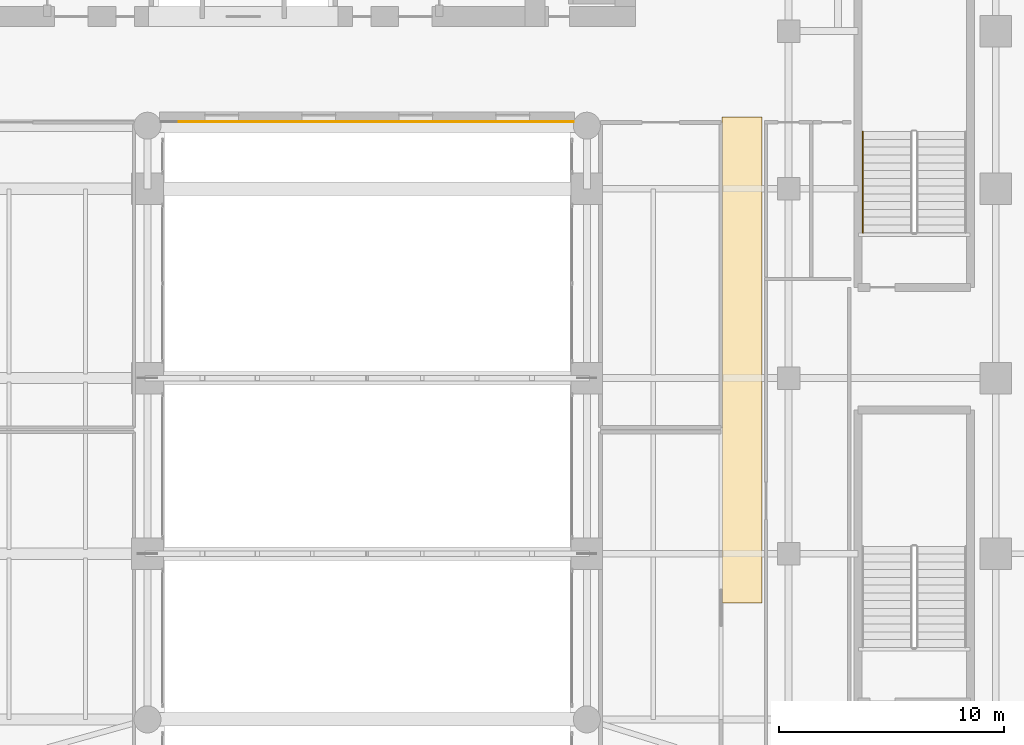
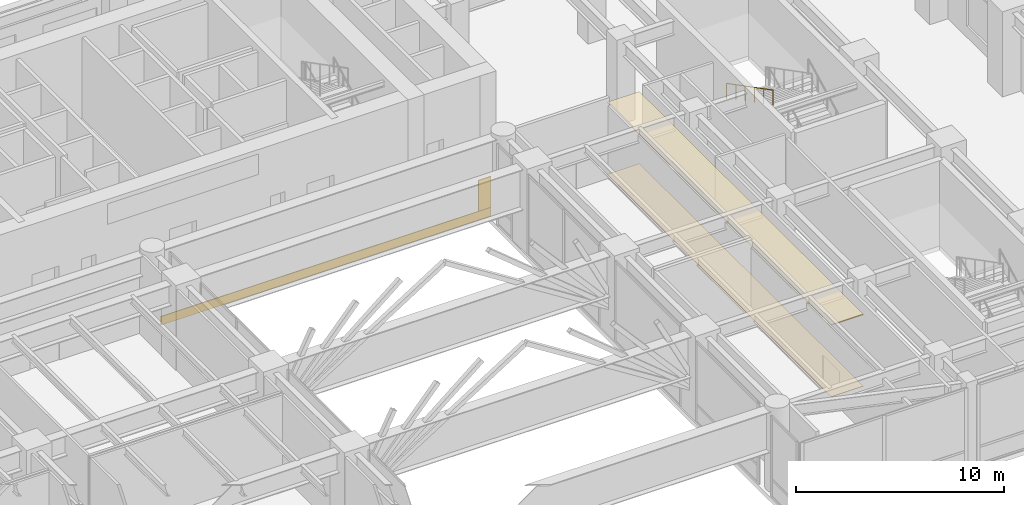
# One storey, part 34 of 39: 4 coverings, 1 railing.
"""IFC4 building model written with IfcOpenShell, lengths in metres."""

from ifc_helpers import new_model, si_unit, direction, frame, origin, origin_2d, place, context, subcontext, project, spatial, polyline, circle, outline, extrude, material, layer, layer_set, type_object, element, save


model = new_model("IFC4")

# Units and contexts
model_context = context("Model", 3, precision=1e-05, world=origin(), true_north=direction((0.0, 1.0)))
body_context = subcontext(model_context, "Body", "Model", "MODEL_VIEW")
ifc_project = project(units=[si_unit("LENGTHUNIT", "METRE"), si_unit("AREAUNIT", "SQUARE_METRE"), si_unit("VOLUMEUNIT", "CUBIC_METRE"), si_unit("PLANEANGLEUNIT", "RADIAN"), si_unit("MASSUNIT", "GRAM", prefix="KILO")], contexts=[model_context])

# Site, building, storey
site_placement = place(None, origin())
site = spatial("IfcSite", under=ifc_project, at=site_placement, CompositionType="ELEMENT")
building_placement = place(site_placement, origin())
building = spatial("IfcBuilding", under=site, at=building_placement, Name="Tolvann Quenvar Hotel", CompositionType="ELEMENT")
storey_placement = place(building_placement, frame((0.0, 0.0, 11.0)))
storey = spatial("IfcBuildingStorey", under=building, at=storey_placement, Name="L02", CompositionType="ELEMENT", Elevation=11.0)

# Coverings
ifc_material_1 = material(Name="Micro-perforated acoustic mineral-fibre and timber-batten suspended ceiling", Category="wood")
ifc_layer_1 = layer(ifc_material_1, 0.054931640625)
ifc_layer_set_1 = layer_set([ifc_layer_1], Name="Micro-perforated acoustic mineral-fibre and timber-batten suspended ceiling")
covering_type_1 = type_object("IfcCoveringType", Name="COV_CEIL_TIMBER_55", PredefinedType="CEILING", material=ifc_layer_set_1)
covering_1_placement = place(storey_placement, frame((0.0, 0.0, 4.199951171875)))
element("IfcCovering", 1, at=covering_1_placement, inside=storey, type_object=covering_type_1, Name="Suspended Acoustic Ceiling (East Podium Corridor L02)", PredefinedType="CEILING", context=body_context, shape_type="SweptSolid", body=[
    extrude(outline(polyline([(44.239990234375, 6.02001953125), (46.030029296875, 6.02001953125), (46.030029296875, 27.580078125), (44.239990234375, 27.580078125), (44.239990234375, 6.02001953125)])), origin(), (0.0, 0.0, 1.0), 0.054931640625),
])
ifc_material_2 = material(Name="Kiln-fired red architectural face brick cladding", Category="masonry")
ifc_layer_2 = layer(ifc_material_2, 0.0400390625)
ifc_layer_set_2 = layer_set([ifc_layer_2], Name="Kiln-fired red architectural face brick cladding")
covering_type_2 = type_object("IfcCoveringType", Name="COV_CLAD_BRICK_40", PredefinedType="CLADDING", material=ifc_layer_set_2)
covering_2_placement = place(storey_placement, frame((0.0, 0.0, 0.5126953125)))
element("IfcCovering", 2, at=covering_2_placement, inside=storey, type_object=covering_type_2, Name="Brick Pier Cladding (L02-E02-P2)", PredefinedType="CLADDING", context=body_context, shape_type="SweptSolid", body=[
    extrude(outline(polyline([(36.9599609375, 27.39990234375), (37.659912109375, 27.39990234375), (37.659912109375, 27.360107421875), (36.9599609375, 27.360107421875), (36.9599609375, 27.39990234375)])), origin(), (0.0, 0.0, 1.0), 1.8173828125),
])
ifc_material_3 = material(Name="Moulded buff architectural terracotta spandrel cladding", Category="masonry")
ifc_layer_3 = layer(ifc_material_3, 0.0400390625)
ifc_layer_set_3 = layer_set([ifc_layer_3], Name="Moulded buff architectural terracotta spandrel cladding")
covering_type_3 = type_object("IfcCoveringType", Name="COV_CLAD_TERRA_40", PredefinedType="CLADDING", material=ifc_layer_set_3)
covering_3_placement = place(storey_placement, origin())
element("IfcCovering", 3, at=covering_3_placement, inside=storey, type_object=covering_type_3, Name="Terracotta Spandrel Cladding (L02-E02)", PredefinedType="CLADDING", context=body_context, shape_type="SweptSolid", body=[
    extrude(outline(polyline([(19.330078125, 27.39990234375), (37.669921875, 27.39990234375), (37.669921875, 27.360107421875), (19.330078125, 27.360107421875), (19.330078125, 27.39990234375)])), origin(), (0.0, 0.0, 1.0), 0.5126953125),
])
ifc_material_4 = material(Name="Honed Australian bluestone, terrazzo and engineered oak flooring", Category="masonry")
ifc_layer_4 = layer(ifc_material_4, 0.02001953125)
ifc_layer_set_4 = layer_set([ifc_layer_4], Name="Honed Australian bluestone, terrazzo and engineered oak flooring")
covering_type_4 = type_object("IfcCoveringType", Name="COV_FLOOR_STONE_20", PredefinedType="FLOORING", material=ifc_layer_set_4)
covering_4_placement = place(storey_placement, origin())
element("IfcCovering", 4, at=covering_4_placement, inside=storey, type_object=covering_type_4, Name="Architectural Floor Finish (East Podium Corridor L02)", PredefinedType="FLOORING", context=body_context, shape_type="SweptSolid", body=[
    extrude(outline(polyline([(44.239990234375, 6.02001953125), (46.030029296875, 6.02001953125), (46.030029296875, 27.580078125), (44.239990234375, 27.580078125), (44.239990234375, 6.02001953125)])), origin(), (0.0, 0.0, 1.0), 0.02001953125),
])

# Railing
ifc_material_5 = material(Name="Brushed 316 stainless steel balustrade and handrail", Category="steel")
railing_type = type_object("IfcRailingType", Name="HANDRAIL", PredefinedType="HANDRAIL", material=ifc_material_5)
railing_placement = place(storey_placement, frame((50.5, 26.93505859375, 2.678466796875)))
element("IfcRailing", 5, at=railing_placement, inside=storey, type_object=railing_type, Name="L02 ST-P4 stair handrail 2", PredefinedType="HANDRAIL", context=body_context, shape_type="SweptSolid", body=[
    extrude(circle(Radius=0.02392578125, at=origin_2d()), frame((0.0, 0.0, 0.8759765625), z_axis=(0.0, -0.888084280779, 0.459680661147), x_axis=(1.0, 0.0, 0.0)), (0.0, 0.0, 1.0), 5.05029296875),
    extrude(circle(Radius=0.02099609375, at=origin_2d()), origin(), (0.0, 0.0, 1.0), 0.851806640625),
    extrude(circle(Radius=0.02099609375, at=origin_2d()), frame((0.0, -0.89697265625, 0.46435546875)), (0.0, 0.0, 1.0), 0.851806640625),
    extrude(circle(Radius=0.02099609375, at=origin_2d()), frame((0.0, -1.7939453125, 0.9287109375)), (0.0, 0.0, 1.0), 0.851806640625),
    extrude(circle(Radius=0.02099609375, at=origin_2d()), frame((0.0, -2.691162109375, 1.392822265625)), (0.0, 0.0, 1.0), 0.851806640625),
    extrude(circle(Radius=0.02099609375, at=origin_2d()), frame((0.0, -3.588134765625, 1.857177734375)), (0.0, 0.0, 1.0), 0.851806640625),
    extrude(circle(Radius=0.02099609375, at=origin_2d()), frame((0.0, -4.485107421875, 2.321533203125)), (0.0, 0.0, 1.0), 0.851806640625),
])

save(model, "model.ifc")
